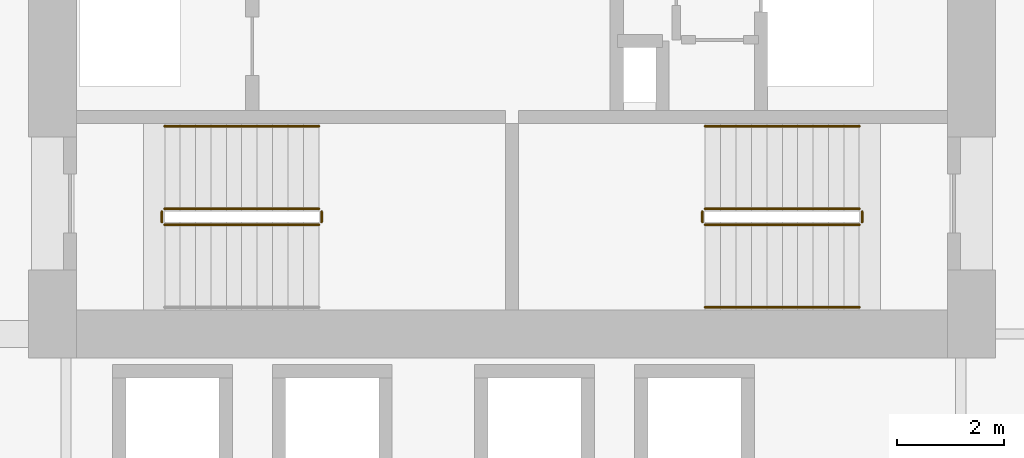
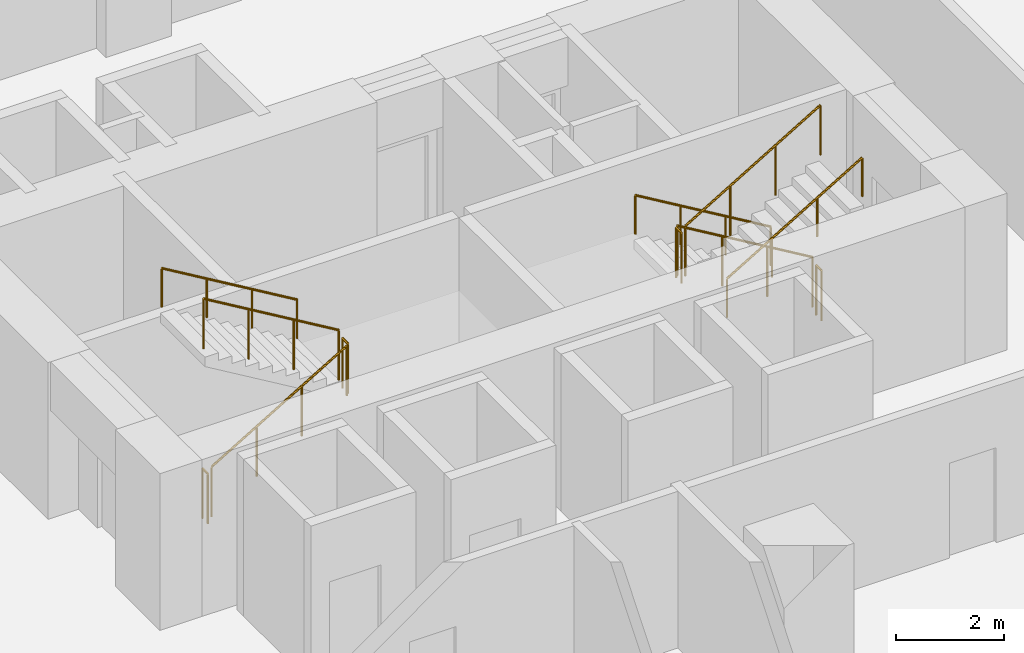
# One storey, part 18 of 20: 11 railings.
"""IFC4 building model written with IfcOpenShell, lengths in metres."""

import ifcopenshell
import ifcopenshell.guid

model = None  # the IFC model being written
_history = None  # IfcOwnerHistory: only IFC2X3 demands one
_inside = {}  # id of a spatial element -> (the spatial element, [elements in it])
_under = {}  # id of a project, library or spatial element -> (it, [spatial elements below it])
_declared = {}  # id of a project -> (the project, [libraries it declares])
_typed = {}  # id of a type object -> (the type object, [elements of that type])
_made_of = {}  # id of a material, layer set ... -> (it, [elements and type objects made of it])


def new_model(schema):
    """Start an empty IFC model of exactly this schema.

    Asked for "IFC4X3", IfcOpenShell would pick the latest addendum, in which some entities
    have other attributes; the version numbers below select the first issue.
    IFC2X3 requires an IfcOwnerHistory on every rooted entity: one is made here for all.
    """
    global model, _history
    if schema == "IFC4X3":
        model = ifcopenshell.file(schema_version=(4, 3, 0, 0))
    else:
        model = ifcopenshell.file(schema=schema)
    _inside.clear()
    _under.clear()
    _declared.clear()
    _typed.clear()
    _made_of.clear()
    _history = None
    if model.schema == "IFC2X3":
        org = make("IfcOrganization", Name="unknown")
        user = make(
            "IfcPersonAndOrganization",
            ThePerson=make("IfcPerson", FamilyName="unknown"),
            TheOrganization=org,
        )
        app = make(
            "IfcApplication",
            ApplicationDeveloper=org,
            Version="unknown",
            ApplicationFullName="unknown",
            ApplicationIdentifier="unknown",
        )
        _history = make(
            "IfcOwnerHistory",
            OwningUser=user,
            OwningApplication=app,
            ChangeAction="ADDED",
            CreationDate=0,
        )
    return model


def make(cls, **values):
    """One entity of the class cls with the attributes given. An attribute that is None is left unset."""
    return model.create_entity(
        cls, **{name: value for name, value in values.items() if value is not None}
    )


def rooted(cls, **values):
    """An entity with a GlobalId (a new one), such as an element, a storey or a relation."""
    return make(cls, GlobalId=ifcopenshell.guid.new(), OwnerHistory=_history, **values)


def si_unit(unit_type, name, prefix=None):
    """IfcSIUnit, for example si_unit("LENGTHUNIT", "METRE", prefix="MILLI")."""
    return make("IfcSIUnit", UnitType=unit_type, Prefix=prefix, Name=name)


def assignment(units):
    """IfcUnitAssignment: the units of a project."""
    return None if units is None else make("IfcUnitAssignment", Units=units)


def point(xyz):
    """IfcCartesianPoint."""
    return None if xyz is None else make("IfcCartesianPoint", Coordinates=xyz)


def direction(xyz):
    """IfcDirection."""
    return None if xyz is None else make("IfcDirection", DirectionRatios=xyz)


def frame(location, z_axis=None, x_axis=None):
    """IfcAxis2Placement3D, a coordinate frame: its origin and axes. An axis left out is left unset."""
    return make(
        "IfcAxis2Placement3D",
        Location=point(location),
        Axis=direction(z_axis),
        RefDirection=direction(x_axis),
    )


def frame_2d(location, x_axis=None):
    """IfcAxis2Placement2D, a coordinate frame in the plane: its origin and x axis."""
    return make(
        "IfcAxis2Placement2D", Location=point(location), RefDirection=direction(x_axis)
    )


def origin():
    """The frame at (0, 0, 0) with its axes left unset."""
    return frame((0.0, 0.0, 0.0))


def origin_2d():
    """The frame at (0, 0) in the plane with its x axis left unset."""
    return frame_2d((0.0, 0.0))


def place(relative_to, where):
    """IfcLocalPlacement: puts the frame where relative to a parent placement (None: the world)."""
    return make(
        "IfcLocalPlacement", PlacementRelTo=relative_to, RelativePlacement=where
    )


def context(
    kind, dimensions, precision=None, world=None, true_north=None, identifier=None
):
    """IfcGeometricRepresentationContext, for example the 3D "Model" context."""
    return make(
        "IfcGeometricRepresentationContext",
        ContextIdentifier=identifier,
        ContextType=kind,
        CoordinateSpaceDimension=dimensions,
        Precision=precision,
        WorldCoordinateSystem=world,
        TrueNorth=true_north,
    )


def subcontext(parent, identifier, kind, view, scale=None):
    """IfcGeometricRepresentationSubContext, for example "Body" below "Model"."""
    return make(
        "IfcGeometricRepresentationSubContext",
        ContextIdentifier=identifier,
        ContextType=kind,
        ParentContext=parent,
        TargetScale=scale,
        TargetView=view,
    )


def project(units=None, contexts=None):
    """IfcProject with its units and contexts."""
    return rooted(
        "IfcProject",
        Name="project",
        RepresentationContexts=contexts,
        UnitsInContext=assignment(units),
    )


def spatial(cls, under=None, at=None, **own):
    """A site, building, storey or space (cls), placed at a placement, below another one or the project."""
    s = rooted(cls, ObjectPlacement=at, **own)
    if under is not None:
        _under.setdefault(under.id(), (under, []))[1].append(s)
    return s


def profile(cls, at=None, kind="AREA", **sizes):
    """A parametric profile (cls). Its sizes go by their IFC names, for example OverallWidth=200.0."""
    return make(cls, ProfileType=kind, Position=at, **sizes)


def circle(**sizes):
    """IfcCircleProfileDef."""
    return profile("IfcCircleProfileDef", **sizes)


def extrude(swept, where, along, depth):
    """IfcExtrudedAreaSolid: the profile swept, set in the frame where, extruded along a direction by depth."""
    return make(
        "IfcExtrudedAreaSolid",
        SweptArea=swept,
        Position=where,
        ExtrudedDirection=direction(along),
        Depth=depth,
    )


def shape(context_of_items, identifier, shape_type, items):
    """IfcShapeRepresentation: the items that make up one representation, for example the "Body"."""
    return make(
        "IfcShapeRepresentation",
        ContextOfItems=context_of_items,
        RepresentationIdentifier=identifier,
        RepresentationType=shape_type,
        Items=items,
    )


def material(Name=None, Category=None):
    """IfcMaterial."""
    return make("IfcMaterial", Name=Name, Category=Category)


def made_of(thing, what):
    """Note that an element or type object is made of a material, layer set ...; save() writes the relation."""
    if what is not None:
        _made_of.setdefault(what.id(), (what, []))[1].append(thing)
    return thing


def type_object(cls, material=None, **own):
    """A type object (cls), such as IfcWallType, which elements share."""
    return made_of(rooted(cls, **own), material)


def element(
    cls,
    number,
    at=None,
    inside=None,
    cuts=None,
    type_object=None,
    material=None,
    context=None,
    identifier="Body",
    shape_type=None,
    held_by="IfcProductDefinitionShape",
    body=None,
    shapes=None,
    **own,
):
    """One element of the class cls, such as IfcWall. Its Tag is "e" and its number.

    at: its placement. inside: the storey or other place that contains it. cuts: it is an
    opening in that element (IfcRelVoidsElement). A single representation is given by context,
    identifier, shape_type and body (its items); several are given by shapes. held_by: the class
    of the entity that holds the representations. save() writes the other relations.
    """
    e = rooted(cls, Tag="e%d" % number, ObjectPlacement=at, **own)
    if body is not None:
        shapes = [shape(context, identifier, shape_type, body)]
    if shapes is not None:
        e.Representation = make(held_by, Representations=shapes)
    if inside is not None:
        _inside.setdefault(inside.id(), (inside, []))[1].append(e)
    if cuts is not None:
        rooted(
            "IfcRelVoidsElement", RelatingBuildingElement=cuts, RelatedOpeningElement=e
        )
    if type_object is not None:
        _typed.setdefault(type_object.id(), (type_object, []))[1].append(e)
    return made_of(e, material)


def aggregate(whole, parts):
    """IfcRelAggregates: a whole, such as a stair, and the parts it consists of."""
    return rooted("IfcRelAggregates", RelatingObject=whole, RelatedObjects=parts)


def save(model, path):
    """Write the relations noted so far, then the file.

    IfcRelAggregates (storeys below a building ...), IfcRelContainedInSpatialStructure (elements
    in a storey), IfcRelDefinesByType, IfcRelAssociatesMaterial and IfcRelDeclares: one each for
    every whole, place, type object, material and project.
    """
    for whole, parts in _under.values():
        aggregate(whole, parts)
    for where, things in _inside.values():
        rooted(
            "IfcRelContainedInSpatialStructure",
            RelatedElements=things,
            RelatingStructure=where,
        )
    for kind, things in _typed.values():
        rooted("IfcRelDefinesByType", RelatedObjects=things, RelatingType=kind)
    for what, things in _made_of.values():
        rooted("IfcRelAssociatesMaterial", RelatedObjects=things, RelatingMaterial=what)
    for by, libraries in _declared.values():
        rooted("IfcRelDeclares", RelatingContext=by, RelatedDefinitions=libraries)
    model.write(path)


model = new_model("IFC4")

# Units and contexts
model_context = context("Model", 3, precision=1e-05, world=origin(), true_north=direction((0.0, 1.0)))
body_context = subcontext(model_context, "Body", "Model", "MODEL_VIEW")
ifc_project = project(units=[si_unit("LENGTHUNIT", "METRE"), si_unit("AREAUNIT", "SQUARE_METRE"), si_unit("VOLUMEUNIT", "CUBIC_METRE"), si_unit("PLANEANGLEUNIT", "RADIAN"), si_unit("MASSUNIT", "GRAM", prefix="KILO")], contexts=[model_context])

# Site, building, storey
site_placement = place(None, origin())
site = spatial("IfcSite", under=ifc_project, at=site_placement, CompositionType="ELEMENT")
building_placement = place(site_placement, origin())
building = spatial("IfcBuilding", under=site, at=building_placement, Name="Koriwani Terraces Tower", CompositionType="ELEMENT")
storey_placement = place(building_placement, frame((0.0, 0.0, 35.800048828125)))
storey = spatial("IfcBuildingStorey", under=building, at=storey_placement, Name="L07", CompositionType="ELEMENT", Elevation=35.800048828125)

# Railings
ifc_material = material(Name="Steel ASTM A572 Grade 50", Category="steel")
railing_type_1 = type_object("IfcRailingType", Name="GUARD_STAIR_WELL_1120", PredefinedType="GUARDRAIL", material=ifc_material)
railing_1_placement = place(storey_placement, frame((43.85009765625, 18.85009765625, 0.172607421875)))
element("IfcRailing", 1, at=railing_1_placement, inside=storey, type_object=railing_type_1, Name="L07 ST-E1 stair guard 1", PredefinedType="GUARDRAIL", context=body_context, shape_type="SweptSolid", body=[
    extrude(circle(Radius=0.02392578125, at=origin_2d()), frame((0.0, 0.0, 1.1259765625), z_axis=(0.859141464434, 0.0, 0.511738159696), x_axis=(0.0, 1.0, 0.0)), (0.0, 0.0, 1.0), 3.375244140625),
    extrude(circle(Radius=0.02099609375, at=origin_2d()), origin(), (0.0, 0.0, 1.0), 1.101806640625),
    extrude(circle(Radius=0.02099609375, at=origin_2d()), frame((0.966552734375, 0.0, 0.57568359375)), (0.0, 0.0, 1.0), 1.101806640625),
    extrude(circle(Radius=0.02099609375, at=origin_2d()), frame((1.933349609375, 0.0, 1.151611328125)), (0.0, 0.0, 1.0), 1.101806640625),
    extrude(circle(Radius=0.02099609375, at=origin_2d()), frame((2.89990234375, 0.0, 1.727294921875)), (0.0, 0.0, 1.0), 1.101806640625),
])
railing_2_placement = place(storey_placement, frame((46.800048828125, 18.89990234375, 1.89990234375)))
element("IfcRailing", 2, at=railing_2_placement, inside=storey, type_object=railing_type_1, Name="L07 ST-E1 stair guard 2", PredefinedType="GUARDRAIL", context=body_context, shape_type="SweptSolid", body=[
    extrude(circle(Radius=0.02392578125, at=origin_2d()), frame((0.0, 0.0, 1.1259765625), z_axis=(0.0, 1.0, 0.0), x_axis=(-1.0, 0.0, 0.0)), (0.0, 0.0, 1.0), 0.2001953125),
    extrude(circle(Radius=0.02099609375, at=origin_2d()), origin(), (0.0, 0.0, 1.0), 1.101806640625),
    extrude(circle(Radius=0.02099609375, at=origin_2d()), frame((0.0, 0.2001953125, 0.0)), (0.0, 0.0, 1.0), 1.101806640625),
])
railing_3_placement = place(storey_placement, frame((46.75, 19.14990234375, 2.07275390625)))
element("IfcRailing", 3, at=railing_3_placement, inside=storey, type_object=railing_type_1, Name="L07 ST-E1 stair guard 3", PredefinedType="GUARDRAIL", context=body_context, shape_type="SweptSolid", body=[
    extrude(circle(Radius=0.02392578125, at=origin_2d()), frame((0.0, 0.0, 1.1259765625), z_axis=(-0.859141464434, 0.0, 0.511738159696), x_axis=(0.0, -1.0, 0.0)), (0.0, 0.0, 1.0), 3.375244140625),
    extrude(circle(Radius=0.02099609375, at=origin_2d()), origin(), (0.0, 0.0, 1.0), 1.101806640625),
    extrude(circle(Radius=0.02099609375, at=origin_2d()), frame((-0.966552734375, 0.0, 0.57568359375)), (0.0, 0.0, 1.0), 1.101806640625),
    extrude(circle(Radius=0.02099609375, at=origin_2d()), frame((-1.933349609375, 0.0, 1.151611328125)), (0.0, 0.0, 1.0), 1.101806640625),
    extrude(circle(Radius=0.02099609375, at=origin_2d()), frame((-2.89990234375, 0.0, 1.727294921875)), (0.0, 0.0, 1.0), 1.101806640625),
])
railing_4_placement = place(storey_placement, frame((43.800048828125, 18.89990234375, 0.0)))
element("IfcRailing", 4, at=railing_4_placement, inside=storey, type_object=railing_type_1, Name="L07 ST-E1 stair guard 4", PredefinedType="GUARDRAIL", context=body_context, shape_type="SweptSolid", body=[
    extrude(circle(Radius=0.02392578125, at=origin_2d()), frame((0.0, 0.0, 1.1259765625), z_axis=(0.0, 1.0, 0.0), x_axis=(-1.0, 0.0, 0.0)), (0.0, 0.0, 1.0), 0.2001953125),
    extrude(circle(Radius=0.02099609375, at=origin_2d()), origin(), (0.0, 0.0, 1.0), 1.101806640625),
    extrude(circle(Radius=0.02099609375, at=origin_2d()), frame((0.0, 0.2001953125, 0.0)), (0.0, 0.0, 1.0), 1.101806640625),
])
railing_5_placement = place(storey_placement, frame((56.89990234375, 19.14990234375, 0.172607421875)))
element("IfcRailing", 5, at=railing_5_placement, inside=storey, type_object=railing_type_1, Name="L07 ST-E2 stair guard 1", PredefinedType="GUARDRAIL", context=body_context, shape_type="SweptSolid", body=[
    extrude(circle(Radius=0.02392578125, at=origin_2d()), frame((0.0, 0.0, 1.1259765625), z_axis=(-0.859141464434, 0.0, 0.511738159696), x_axis=(0.0, -1.0, 0.0)), (0.0, 0.0, 1.0), 3.375244140625),
    extrude(circle(Radius=0.02099609375, at=origin_2d()), origin(), (0.0, 0.0, 1.0), 1.101806640625),
    extrude(circle(Radius=0.02099609375, at=origin_2d()), frame((-0.966552734375, 0.0, 0.57568359375)), (0.0, 0.0, 1.0), 1.101806640625),
    extrude(circle(Radius=0.02099609375, at=origin_2d()), frame((-1.933349609375, 0.0, 1.151611328125)), (0.0, 0.0, 1.0), 1.101806640625),
    extrude(circle(Radius=0.02099609375, at=origin_2d()), frame((-2.89990234375, 0.0, 1.727294921875)), (0.0, 0.0, 1.0), 1.101806640625),
])
railing_6_placement = place(storey_placement, frame((53.949951171875, 19.10009765625, 1.89990234375)))
element("IfcRailing", 6, at=railing_6_placement, inside=storey, type_object=railing_type_1, Name="L07 ST-E2 stair guard 2", PredefinedType="GUARDRAIL", context=body_context, shape_type="SweptSolid", body=[
    extrude(circle(Radius=0.02392578125, at=origin_2d()), frame((0.0, 0.0, 1.1259765625), z_axis=(0.0, -1.0, 0.0), x_axis=(1.0, 0.0, 0.0)), (0.0, 0.0, 1.0), 0.2001953125),
    extrude(circle(Radius=0.02099609375, at=origin_2d()), origin(), (0.0, 0.0, 1.0), 1.101806640625),
    extrude(circle(Radius=0.02099609375, at=origin_2d()), frame((0.0, -0.2001953125, 0.0)), (0.0, 0.0, 1.0), 1.101806640625),
])
railing_7_placement = place(storey_placement, frame((54.0, 18.85009765625, 2.07275390625)))
element("IfcRailing", 7, at=railing_7_placement, inside=storey, type_object=railing_type_1, Name="L07 ST-E2 stair guard 3", PredefinedType="GUARDRAIL", context=body_context, shape_type="SweptSolid", body=[
    extrude(circle(Radius=0.02392578125, at=origin_2d()), frame((0.0, 0.0, 1.1259765625), z_axis=(0.859141464434, 0.0, 0.511738159696), x_axis=(0.0, 1.0, 0.0)), (0.0, 0.0, 1.0), 3.375244140625),
    extrude(circle(Radius=0.02099609375, at=origin_2d()), origin(), (0.0, 0.0, 1.0), 1.101806640625),
    extrude(circle(Radius=0.02099609375, at=origin_2d()), frame((0.966552734375, 0.0, 0.57568359375)), (0.0, 0.0, 1.0), 1.101806640625),
    extrude(circle(Radius=0.02099609375, at=origin_2d()), frame((1.933349609375, 0.0, 1.151611328125)), (0.0, 0.0, 1.0), 1.101806640625),
    extrude(circle(Radius=0.02099609375, at=origin_2d()), frame((2.89990234375, 0.0, 1.727294921875)), (0.0, 0.0, 1.0), 1.101806640625),
])
railing_8_placement = place(storey_placement, frame((56.949951171875, 19.10009765625, 0.0)))
element("IfcRailing", 8, at=railing_8_placement, inside=storey, type_object=railing_type_1, Name="L07 ST-E2 stair guard 4", PredefinedType="GUARDRAIL", context=body_context, shape_type="SweptSolid", body=[
    extrude(circle(Radius=0.02392578125, at=origin_2d()), frame((0.0, 0.0, 1.1259765625), z_axis=(0.0, -1.0, 0.0), x_axis=(1.0, 0.0, 0.0)), (0.0, 0.0, 1.0), 0.2001953125),
    extrude(circle(Radius=0.02099609375, at=origin_2d()), origin(), (0.0, 0.0, 1.0), 1.101806640625),
    extrude(circle(Radius=0.02099609375, at=origin_2d()), frame((0.0, -0.2001953125, 0.0)), (0.0, 0.0, 1.0), 1.101806640625),
])
railing_type_2 = type_object("IfcRailingType", Name="HANDRAIL_STAIR_920", PredefinedType="HANDRAIL", material=ifc_material)
for number, where, name in (
    (9, (46.75, 20.699951171875, 2.07275390625), "L07 ST-E1 stair handrail 2"),
    (10, (56.89990234375, 20.699951171875, 0.172607421875), "L07 ST-E2 stair handrail 1"),
):
    element("IfcRailing", number, at=place(storey_placement, frame(where)), inside=storey, type_object=railing_type_2, Name=name, PredefinedType="HANDRAIL", context=body_context, shape_type="SweptSolid", body=[
        extrude(circle(Radius=0.02392578125, at=origin_2d()), frame((0.0, 0.0, 0.8759765625), z_axis=(-0.859141464434, 0.0, 0.511738159696), x_axis=(0.0, -1.0, 0.0)), (0.0, 0.0, 1.0), 3.375244140625),
        extrude(circle(Radius=0.02099609375, at=origin_2d()), origin(), (0.0, 0.0, 1.0), 0.851806640625),
        extrude(circle(Radius=0.02099609375, at=origin_2d()), frame((-0.966552734375, 0.0, 0.57568359375)), (0.0, 0.0, 1.0), 0.851806640625),
        extrude(circle(Radius=0.02099609375, at=origin_2d()), frame((-1.933349609375, 0.0, 1.151611328125)), (0.0, 0.0, 1.0), 0.851806640625),
        extrude(circle(Radius=0.02099609375, at=origin_2d()), frame((-2.89990234375, 0.0, 1.727294921875)), (0.0, 0.0, 1.0), 0.851806640625),
    ])
railing_9_placement = place(storey_placement, frame((54.0, 17.300048828125, 2.07275390625)))
element("IfcRailing", 11, at=railing_9_placement, inside=storey, type_object=railing_type_2, Name="L07 ST-E2 stair handrail 2", PredefinedType="HANDRAIL", context=body_context, shape_type="SweptSolid", body=[
    extrude(circle(Radius=0.02392578125, at=origin_2d()), frame((0.0, 0.0, 0.8759765625), z_axis=(0.859141464434, 0.0, 0.511738159696), x_axis=(0.0, 1.0, 0.0)), (0.0, 0.0, 1.0), 3.375244140625),
    extrude(circle(Radius=0.02099609375, at=origin_2d()), origin(), (0.0, 0.0, 1.0), 0.851806640625),
    extrude(circle(Radius=0.02099609375, at=origin_2d()), frame((0.966552734375, 0.0, 0.57568359375)), (0.0, 0.0, 1.0), 0.851806640625),
    extrude(circle(Radius=0.02099609375, at=origin_2d()), frame((1.933349609375, 0.0, 1.151611328125)), (0.0, 0.0, 1.0), 0.851806640625),
    extrude(circle(Radius=0.02099609375, at=origin_2d()), frame((2.89990234375, 0.0, 1.727294921875)), (0.0, 0.0, 1.0), 0.851806640625),
])

save(model, "model.ifc")
